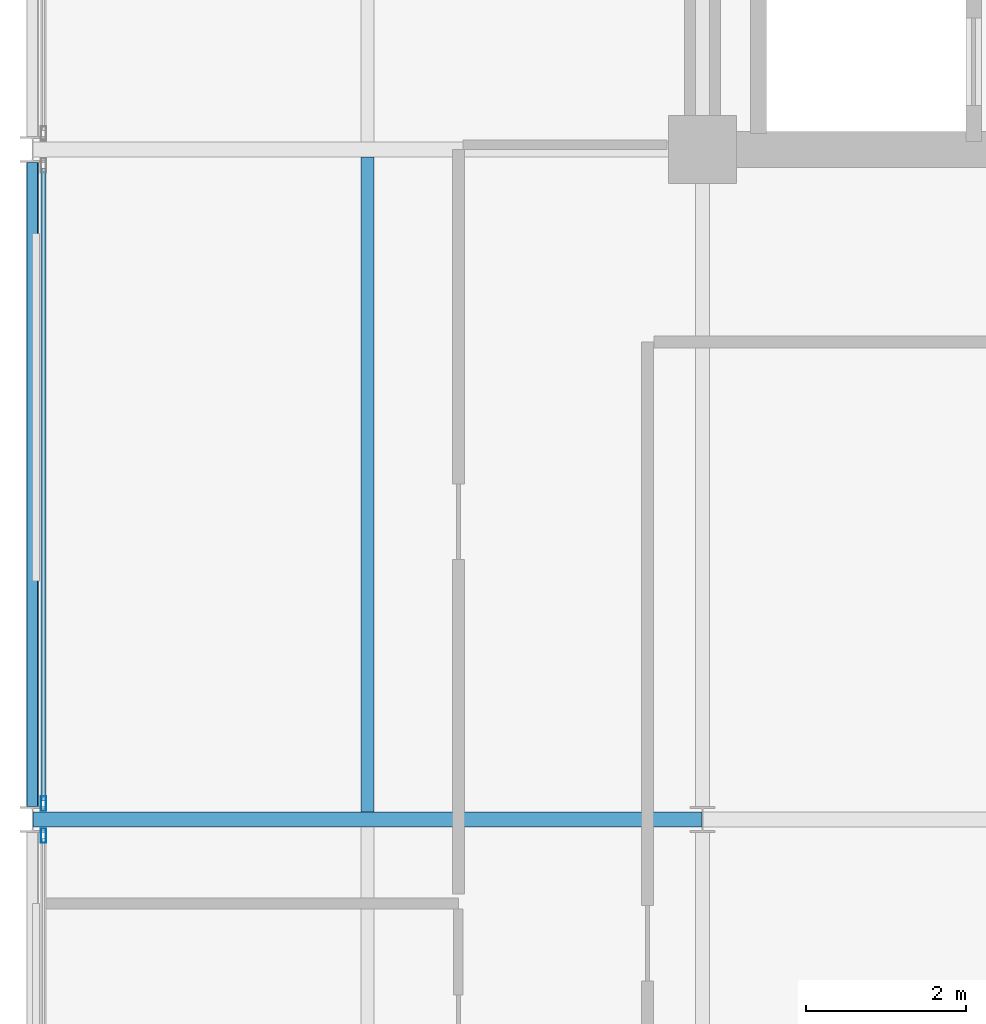
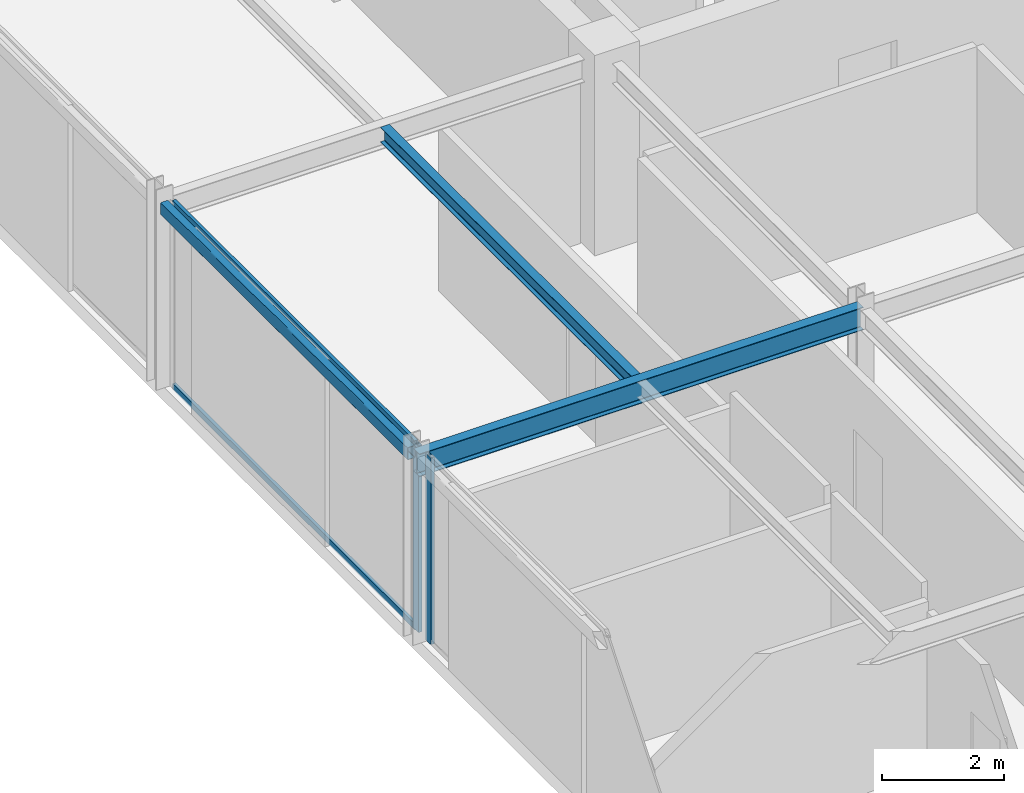
# One storey, part 9 of 26: 4 members, 3 beams, 2 elements without a shape of their own.
"""IFC4 building model written with IfcOpenShell, lengths in metres."""

from ifc_helpers import new_model, si_unit, direction, frame, origin, origin_2d, place, context, subcontext, project, spatial, hollow_rectangle, i_section, extrude, material, layer, layer_set, material_profile, profile_set, type_object, element, aggregate, save


model = new_model("IFC4")

# Units and contexts
model_context = context("Model", 3, precision=1e-05, world=origin(), true_north=direction((0.0, 1.0)))
body_context = subcontext(model_context, "Body", "Model", "MODEL_VIEW")
ifc_project = project(units=[si_unit("LENGTHUNIT", "METRE"), si_unit("AREAUNIT", "SQUARE_METRE"), si_unit("VOLUMEUNIT", "CUBIC_METRE"), si_unit("PLANEANGLEUNIT", "RADIAN"), si_unit("MASSUNIT", "GRAM", prefix="KILO")], contexts=[model_context])

# Site, building, storey
site_placement = place(None, origin())
site = spatial("IfcSite", under=ifc_project, at=site_placement, CompositionType="ELEMENT")
building_placement = place(site_placement, origin())
building = spatial("IfcBuilding", under=site, at=building_placement, Name="Nerrivon Quay Data Exchange", CompositionType="ELEMENT")
storey_placement = place(building_placement, frame((0.0, 0.0, 274.199951171875)))
storey = spatial("IfcBuildingStorey", under=building, at=storey_placement, Name="L65", CompositionType="ELEMENT", Elevation=274.199951171875)

# Beams
ifc_material_1 = material(Name="Steel Grade 350", Category="steel")
ifc_material_profile_1 = material_profile(ifc_material_1, i_section(OverallWidth=0.18994140625, OverallDepth=0.4541015625, WebThickness=0.008544921875, FlangeThickness=0.0126953125, FilletRadius=0.011474609375, at=origin_2d()), Name="460UB67.1")
ifc_profile_set_1 = profile_set([ifc_material_profile_1], Name="Steel Grade 350")
beam_type_1 = type_object("IfcBeamType", Name="BM-G6-460UB67", PredefinedType="BEAM", material=ifc_profile_set_1)
beam_1_placement = place(storey_placement, frame((0.0078125, 16.800048828125, 3.498046875), z_axis=(1.0, 0.0, 0.0), x_axis=(0.0, 1.0, 0.0)))
element("IfcBeam", 1, at=beam_1_placement, inside=storey, type_object=beam_type_1, Name="L65 EW Girder Y=16.8 (0.0..8.4)", PredefinedType="BEAM", context=body_context, shape_type="SweptSolid", body=[
    extrude(i_section(OverallWidth=0.18994140625, OverallDepth=0.4541015625, WebThickness=0.008544921875, FlangeThickness=0.0126953125, FilletRadius=0.011474609375, at=origin_2d()), origin(), (0.0, 0.0, 1.0), 8.38427734375),
])
ifc_material_profile_2 = material_profile(ifc_material_1, i_section(OverallWidth=0.1650390625, OverallDepth=0.303955078125, WebThickness=0.006103515625, FlangeThickness=0.01025390625, FilletRadius=0.011474609375, at=origin_2d()), Name="310UB40.4")
ifc_profile_set_2 = profile_set([ifc_material_profile_2], Name="Steel Grade 350")
beam_type_2 = type_object("IfcBeamType", Name="BM-J6-310UB40", PredefinedType="JOIST", material=ifc_profile_set_2)
beam_2_placement = place(storey_placement, frame((4.199951171875, 16.89501953125, 3.572998046875), z_axis=(0.0, 1.0, 0.0), x_axis=(-1.0, 0.0, 0.0)))
element("IfcBeam", 2, at=beam_2_placement, inside=storey, type_object=beam_type_2, Name="L65 Secondary Joist X=4.2 (16.8..25.2)", PredefinedType="JOIST", context=body_context, shape_type="SweptSolid", body=[
    extrude(i_section(OverallWidth=0.1650390625, OverallDepth=0.303955078125, WebThickness=0.006103515625, FlangeThickness=0.01025390625, FilletRadius=0.011474609375, at=origin_2d()), origin(), (0.0, 0.0, 1.0), 8.2099609375),
])
ifc_material_2 = material(Name="Steel Grade C350L0 (350 MPa)", Category="steel")
ifc_material_profile_3 = material_profile(ifc_material_2, hollow_rectangle(XDim=0.14990234375, YDim=0.25, WallThickness=0.009033203125, InnerFilletRadius=0.013427734375, OuterFilletRadius=0.0224609375, at=origin_2d()), Name="250x150x9.0RHS")
ifc_profile_set_3 = profile_set([ifc_material_profile_3], Name="Steel Grade C350L0 (350 MPa)")
beam_type_3 = type_object("IfcBeamType", Name="BM-SP4-250x150RHS", PredefinedType="SPANDREL", material=ifc_profile_set_3)
beam_3_placement = place(storey_placement, frame((0.0, 16.96337890625, 3.60009765625), z_axis=(0.0, 1.0, 0.0), x_axis=(-1.0, 0.0, 0.0)))
element("IfcBeam", 3, at=beam_3_placement, inside=storey, type_object=beam_type_3, Name="L65 NS Girder X=0.0 (16.8..25.2)", PredefinedType="SPANDREL", context=body_context, shape_type="SweptSolid", body=[
    extrude(hollow_rectangle(XDim=0.14990234375, YDim=0.25, WallThickness=0.009033203125, InnerFilletRadius=0.013427734375, OuterFilletRadius=0.0224609375, at=origin_2d()), origin(), (0.0, 0.0, 1.0), 8.0732421875),
])

# Curtain wall, member
ifc_material_3 = material(Name="Anodised aluminium 6063-T6", Category="aluminium")
ifc_layer = layer(ifc_material_3, 0.195068359375)
ifc_layer_set = layer_set([ifc_layer], Name="Anodised aluminium 6063-T6")
curtain_wall_type = type_object("IfcCurtainWallType", Name="CW-SYS-06", PredefinedType="NOTDEFINED", material=ifc_layer_set)
curtain_wall_1_placement = place(storey_placement, origin())
curtain_wall_1 = element("IfcCurtainWall", 4, at=curtain_wall_1_placement, inside=storey, type_object=curtain_wall_type, Name="L65 Unitised Curtain Wall 12", PredefinedType="NOTDEFINED")
ifc_material_profile_4 = material_profile(ifc_material_3, hollow_rectangle(XDim=0.06494140625, YDim=0.179931640625, WallThickness=0.00341796875, at=origin_2d()), Name="ALU-MULL-180x65")
ifc_profile_set_4 = profile_set([ifc_material_profile_4], Name="Anodised aluminium 6063-T6")
member_type_1 = type_object("IfcMemberType", Name="CWM-180x65", PredefinedType="MULLION", material=ifc_profile_set_4)
member_1_placement = place(storey_placement, frame((0.139892578125, 16.59912109375, 0.0), z_axis=(0.0, 0.0, 1.0), x_axis=(-1.0, 0.0, 0.0)))
member_1 = element("IfcMember", 5, at=member_1_placement, type_object=member_type_1, Name="CW06 mullion 2", PredefinedType="MULLION", context=body_context, shape_type="SweptSolid", body=[
    extrude(hollow_rectangle(XDim=0.06494140625, YDim=0.179931640625, WallThickness=0.00341796875, at=origin_2d()), origin(), (0.0, 0.0, 1.0), 3.72509765625),
])
aggregate(curtain_wall_1, [member_1])

# Curtain wall, members
curtain_wall_2_placement = place(storey_placement, origin())
curtain_wall_2 = element("IfcCurtainWall", 6, at=curtain_wall_2_placement, inside=storey, type_object=curtain_wall_type, Name="L65 Unitised Curtain Wall 13", PredefinedType="NOTDEFINED")
member_2_placement = place(storey_placement, frame((0.139892578125, 17.0009765625, 0.0), z_axis=(0.0, 0.0, 1.0), x_axis=(-1.0, 0.0, 0.0)))
member_2 = element("IfcMember", 7, at=member_2_placement, type_object=member_type_1, Name="CW06 mullion 1", PredefinedType="MULLION", context=body_context, shape_type="SweptSolid", body=[
    extrude(hollow_rectangle(XDim=0.06494140625, YDim=0.179931640625, WallThickness=0.00341796875, at=origin_2d()), origin(), (0.0, 0.0, 1.0), 3.72509765625),
])
ifc_material_profile_5 = material_profile(ifc_material_3, hollow_rectangle(XDim=0.06005859375, YDim=0.1201171875, WallThickness=0.003173828125, at=origin_2d()), Name="ALU-TRAN-120x60")
ifc_profile_set_5 = profile_set([ifc_material_profile_5], Name="Anodised aluminium 6063-T6")
member_type_2 = type_object("IfcMemberType", Name="CWT-120x60", PredefinedType="USERDEFINED", material=ifc_profile_set_5)
member_3_placement = place(storey_placement, frame((0.139892578125, 17.03857421875, 0.032470703125), z_axis=(0.0, 1.0, 0.0), x_axis=(-1.0, 0.0, 0.0)))
member_3 = element("IfcMember", 8, at=member_3_placement, type_object=member_type_2, Name="CW06 transom 1.1", ObjectType="TRANSOM", PredefinedType="USERDEFINED", context=body_context, shape_type="SweptSolid", body=[
    extrude(hollow_rectangle(XDim=0.06005859375, YDim=0.1201171875, WallThickness=0.003173828125, at=origin_2d()), origin(), (0.0, 0.0, 1.0), 7.9228515625),
])
member_4_placement = place(storey_placement, frame((0.139892578125, 17.03857421875, 3.692626953125), z_axis=(0.0, 1.0, 0.0), x_axis=(-1.0, 0.0, 0.0)))
member_4 = element("IfcMember", 9, at=member_4_placement, type_object=member_type_2, Name="CW06 transom 1.2", ObjectType="TRANSOM", PredefinedType="USERDEFINED", context=body_context, shape_type="SweptSolid", body=[
    extrude(hollow_rectangle(XDim=0.06005859375, YDim=0.1201171875, WallThickness=0.003173828125, at=origin_2d()), origin(), (0.0, 0.0, 1.0), 7.9228515625),
])
aggregate(curtain_wall_2, [member_2, member_3, member_4])

save(model, "model.ifc")
